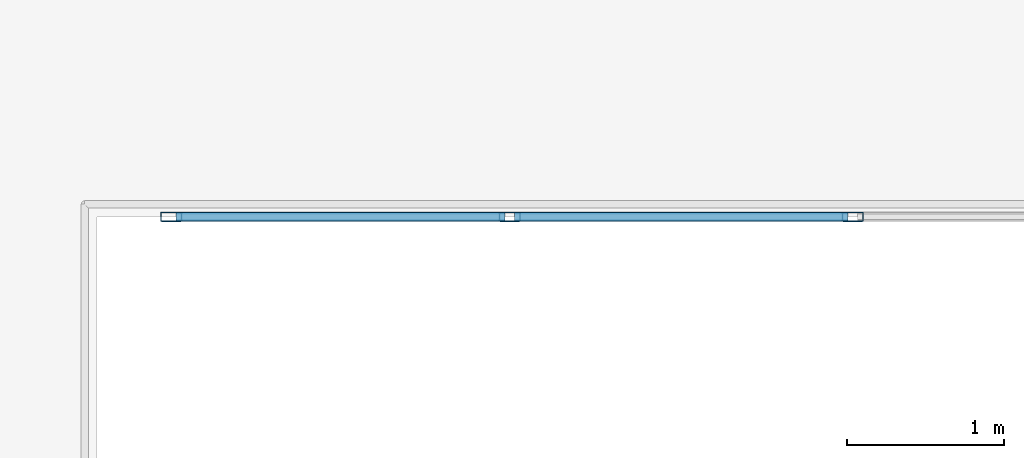
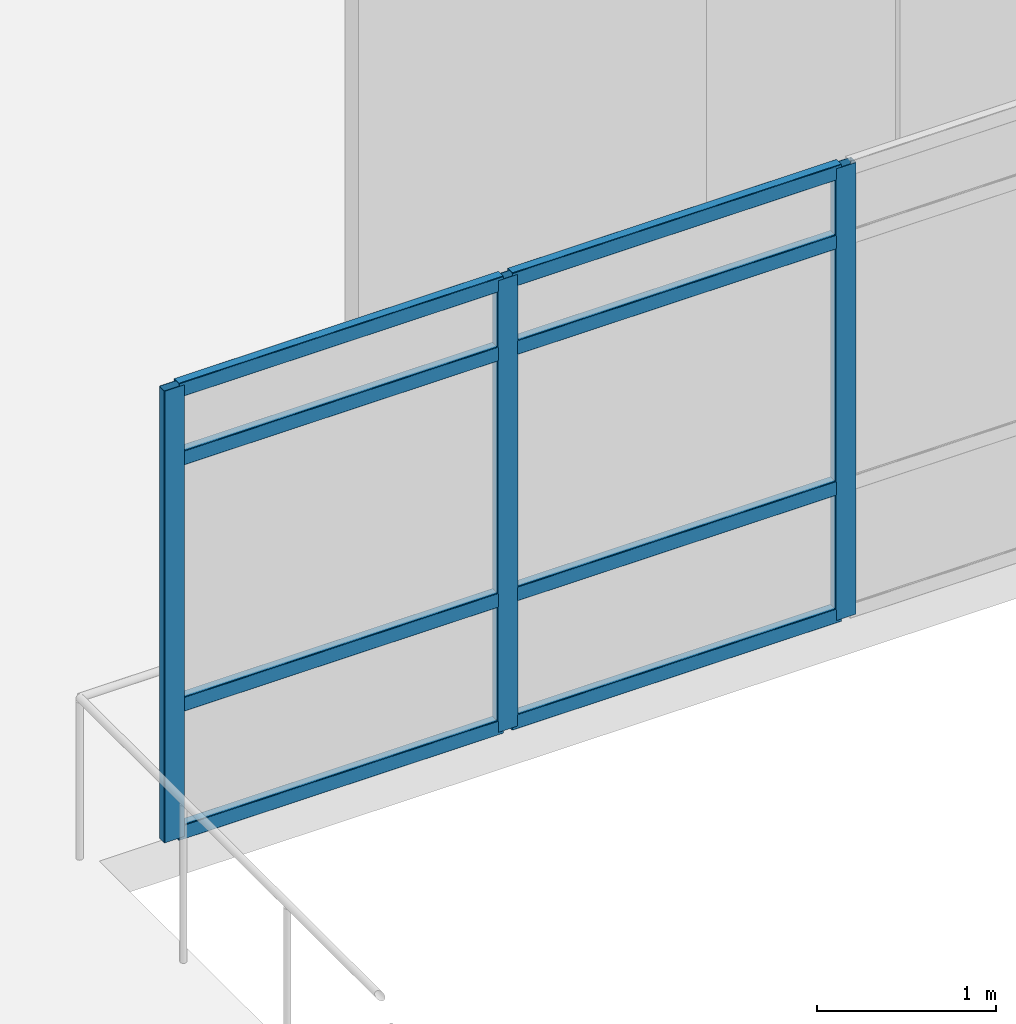
# One storey, part 17 of 50: 11 members, 1 element without a shape of its own.
"""IFC4 building model written with IfcOpenShell, lengths in metres."""

from ifc_helpers import new_model, si_unit, direction, frame, origin, origin_2d, place, context, subcontext, project, spatial, hollow_rectangle, extrude, material, layer, layer_set, material_profile, profile_set, type_object, element, aggregate, save


model = new_model("IFC4")

# Units and contexts
model_context = context("Model", 3, precision=1e-05, world=origin(), true_north=direction((0.0, 1.0)))
body_context = subcontext(model_context, "Body", "Model", "MODEL_VIEW")
ifc_project = project(units=[si_unit("LENGTHUNIT", "METRE"), si_unit("AREAUNIT", "SQUARE_METRE"), si_unit("VOLUMEUNIT", "CUBIC_METRE"), si_unit("PLANEANGLEUNIT", "RADIAN"), si_unit("MASSUNIT", "GRAM", prefix="KILO")], contexts=[model_context])

# Site, building, storey
site_placement = place(None, origin())
site = spatial("IfcSite", under=ifc_project, at=site_placement, CompositionType="ELEMENT")
building_placement = place(site_placement, origin())
building = spatial("IfcBuilding", under=site, at=building_placement, Name="Asteropetra Specialist Clinic", CompositionType="ELEMENT")
storey_placement = place(building_placement, frame((0.0, 0.0, 16.659912109375)))
storey = spatial("IfcBuildingStorey", under=building, at=storey_placement, Name="L04", CompositionType="ELEMENT", Elevation=16.659912109375)

# Curtain wall, members
ifc_material_1 = material(Name="Aluminium and low-E glass", Category="aluminium")
ifc_layer = layer(ifc_material_1, 0.135009765625)
ifc_layer_set = layer_set([ifc_layer], Name="Aluminium and low-E glass")
curtain_wall_type = type_object("IfcCurtainWallType", Name="CW-SYS-03", PredefinedType="USERDEFINED", material=ifc_layer_set)
curtain_wall_placement = place(storey_placement, origin())
curtain_wall = element("IfcCurtainWall", 1, at=curtain_wall_placement, inside=storey, type_object=curtain_wall_type, Name="Curtain Wall CW-050", ObjectType="UNITISED CURTAIN WALL", PredefinedType="USERDEFINED")
ifc_material_2 = material(Name="Aluminium 6063-T6", Category="aluminium")
ifc_material_profile_1 = material_profile(ifc_material_2, hollow_rectangle(XDim=0.06005859375, YDim=0.135009765625, WallThickness=0.00341796875, InnerFilletRadius=0.00341796875, OuterFilletRadius=0.007080078125, at=origin_2d()), Name="MUL 135x60x3.5")
ifc_profile_set_1 = profile_set([ifc_material_profile_1], Name="Aluminium 6063-T6")
member_type_1 = type_object("IfcMemberType", Name="CWM-135x60", PredefinedType="MULLION", material=ifc_profile_set_1)
member_1_placement = place(storey_placement, frame((14.39990234375, 95.199951171875, 0.0), z_axis=(0.0, 0.0, 1.0), x_axis=(0.0, -1.0, 0.0)))
member_1 = element("IfcMember", 2, at=member_1_placement, type_object=member_type_1, Name="CW-050 mullion 3", PredefinedType="MULLION", context=body_context, shape_type="SweptSolid", body=[
    extrude(hollow_rectangle(XDim=0.06005859375, YDim=0.135009765625, WallThickness=0.00341796875, InnerFilletRadius=0.00341796875, OuterFilletRadius=0.007080078125, at=origin_2d()), origin(), (0.0, 0.0, 1.0), 3.080078125),
])
member_2_placement = place(storey_placement, frame((12.219970703125, 95.199951171875, 0.0), z_axis=(0.0, 0.0, 1.0), x_axis=(0.0, -1.0, 0.0)))
member_2 = element("IfcMember", 3, at=member_2_placement, type_object=member_type_1, Name="CW-050 mullion 4", PredefinedType="MULLION", context=body_context, shape_type="SweptSolid", body=[
    extrude(hollow_rectangle(XDim=0.06005859375, YDim=0.135009765625, WallThickness=0.00341796875, InnerFilletRadius=0.00341796875, OuterFilletRadius=0.007080078125, at=origin_2d()), origin(), (0.0, 0.0, 1.0), 3.080078125),
])
member_3_placement = place(storey_placement, frame((10.070068359375, 95.199951171875, 0.0), z_axis=(0.0, 0.0, 1.0), x_axis=(0.0, -1.0, 0.0)))
member_3 = element("IfcMember", 4, at=member_3_placement, type_object=member_type_1, Name="CW-050 mullion 5", PredefinedType="MULLION", context=body_context, shape_type="SweptSolid", body=[
    extrude(hollow_rectangle(XDim=0.06005859375, YDim=0.135009765625, WallThickness=0.00341796875, InnerFilletRadius=0.00341796875, OuterFilletRadius=0.007080078125, at=origin_2d()), origin(), (0.0, 0.0, 1.0), 3.080078125),
])
ifc_material_3 = material(Name="Aluminium 6063-T6", Category="aluminium")
ifc_material_profile_2 = material_profile(ifc_material_3, hollow_rectangle(XDim=0.06005859375, YDim=0.10009765625, WallThickness=0.00341796875, InnerFilletRadius=0.00341796875, OuterFilletRadius=0.007080078125, at=origin_2d()), Name="TRN 100x60x3.5")
ifc_profile_set_2 = profile_set([ifc_material_profile_2], Name="Aluminium 6063-T6")
member_type_2 = type_object("IfcMemberType", Name="CWT-100x60", PredefinedType="USERDEFINED", material=ifc_profile_set_2)
member_4_placement = place(storey_placement, frame((14.3701171875, 95.199951171875, 0.030029296875), z_axis=(-1.0, 0.0, 0.0), x_axis=(0.0, -1.0, 0.0)))
member_4 = element("IfcMember", 5, at=member_4_placement, type_object=member_type_2, Name="CW-050 transom 3.1", ObjectType="TRANSOM", PredefinedType="USERDEFINED", context=body_context, shape_type="SweptSolid", body=[
    extrude(hollow_rectangle(XDim=0.06005859375, YDim=0.10009765625, WallThickness=0.00341796875, InnerFilletRadius=0.00341796875, OuterFilletRadius=0.007080078125, at=origin_2d()), origin(), (0.0, 0.0, 1.0), 2.1201171875),
])
member_5_placement = place(storey_placement, frame((14.3701171875, 95.199951171875, 0.900146484375), z_axis=(-1.0, 0.0, 0.0), x_axis=(0.0, -1.0, 0.0)))
member_5 = element("IfcMember", 6, at=member_5_placement, type_object=member_type_2, Name="CW-050 transom 3.2", ObjectType="TRANSOM", PredefinedType="USERDEFINED", context=body_context, shape_type="SweptSolid", body=[
    extrude(hollow_rectangle(XDim=0.06005859375, YDim=0.10009765625, WallThickness=0.00341796875, InnerFilletRadius=0.00341796875, OuterFilletRadius=0.007080078125, at=origin_2d()), origin(), (0.0, 0.0, 1.0), 2.1201171875),
])
member_6_placement = place(storey_placement, frame((14.3701171875, 95.199951171875, 2.580078125), z_axis=(-1.0, 0.0, 0.0), x_axis=(0.0, -1.0, 0.0)))
member_6 = element("IfcMember", 7, at=member_6_placement, type_object=member_type_2, Name="CW-050 transom 3.3", ObjectType="TRANSOM", PredefinedType="USERDEFINED", context=body_context, shape_type="SweptSolid", body=[
    extrude(hollow_rectangle(XDim=0.06005859375, YDim=0.10009765625, WallThickness=0.00341796875, InnerFilletRadius=0.00341796875, OuterFilletRadius=0.007080078125, at=origin_2d()), origin(), (0.0, 0.0, 1.0), 2.1201171875),
])
member_7_placement = place(storey_placement, frame((14.3701171875, 95.199951171875, 3.050048828125), z_axis=(-1.0, 0.0, 0.0), x_axis=(0.0, -1.0, 0.0)))
member_7 = element("IfcMember", 8, at=member_7_placement, type_object=member_type_2, Name="CW-050 transom 3.4", ObjectType="TRANSOM", PredefinedType="USERDEFINED", context=body_context, shape_type="SweptSolid", body=[
    extrude(hollow_rectangle(XDim=0.06005859375, YDim=0.10009765625, WallThickness=0.00341796875, InnerFilletRadius=0.00341796875, OuterFilletRadius=0.007080078125, at=origin_2d()), origin(), (0.0, 0.0, 1.0), 2.1201171875),
])
member_8_placement = place(storey_placement, frame((12.18994140625, 95.199951171875, 0.030029296875), z_axis=(-1.0, 0.0, 0.0), x_axis=(0.0, -1.0, 0.0)))
member_8 = element("IfcMember", 9, at=member_8_placement, type_object=member_type_2, Name="CW-050 transom 4.1", ObjectType="TRANSOM", PredefinedType="USERDEFINED", context=body_context, shape_type="SweptSolid", body=[
    extrude(hollow_rectangle(XDim=0.06005859375, YDim=0.10009765625, WallThickness=0.00341796875, InnerFilletRadius=0.00341796875, OuterFilletRadius=0.007080078125, at=origin_2d()), origin(), (0.0, 0.0, 1.0), 2.08984375),
])
member_9_placement = place(storey_placement, frame((12.18994140625, 95.199951171875, 0.900146484375), z_axis=(-1.0, 0.0, 0.0), x_axis=(0.0, -1.0, 0.0)))
member_9 = element("IfcMember", 10, at=member_9_placement, type_object=member_type_2, Name="CW-050 transom 4.2", ObjectType="TRANSOM", PredefinedType="USERDEFINED", context=body_context, shape_type="SweptSolid", body=[
    extrude(hollow_rectangle(XDim=0.06005859375, YDim=0.10009765625, WallThickness=0.00341796875, InnerFilletRadius=0.00341796875, OuterFilletRadius=0.007080078125, at=origin_2d()), origin(), (0.0, 0.0, 1.0), 2.08984375),
])
member_10_placement = place(storey_placement, frame((12.18994140625, 95.199951171875, 2.580078125), z_axis=(-1.0, 0.0, 0.0), x_axis=(0.0, -1.0, 0.0)))
member_10 = element("IfcMember", 11, at=member_10_placement, type_object=member_type_2, Name="CW-050 transom 4.3", ObjectType="TRANSOM", PredefinedType="USERDEFINED", context=body_context, shape_type="SweptSolid", body=[
    extrude(hollow_rectangle(XDim=0.06005859375, YDim=0.10009765625, WallThickness=0.00341796875, InnerFilletRadius=0.00341796875, OuterFilletRadius=0.007080078125, at=origin_2d()), origin(), (0.0, 0.0, 1.0), 2.08984375),
])
member_11_placement = place(storey_placement, frame((12.18994140625, 95.199951171875, 3.050048828125), z_axis=(-1.0, 0.0, 0.0), x_axis=(0.0, -1.0, 0.0)))
member_11 = element("IfcMember", 12, at=member_11_placement, type_object=member_type_2, Name="CW-050 transom 4.4", ObjectType="TRANSOM", PredefinedType="USERDEFINED", context=body_context, shape_type="SweptSolid", body=[
    extrude(hollow_rectangle(XDim=0.06005859375, YDim=0.10009765625, WallThickness=0.00341796875, InnerFilletRadius=0.00341796875, OuterFilletRadius=0.007080078125, at=origin_2d()), origin(), (0.0, 0.0, 1.0), 2.08984375),
])
aggregate(curtain_wall, [member_1, member_2, member_3, member_4, member_5, member_6, member_7, member_8, member_9, member_10, member_11])

save(model, "model.ifc")
